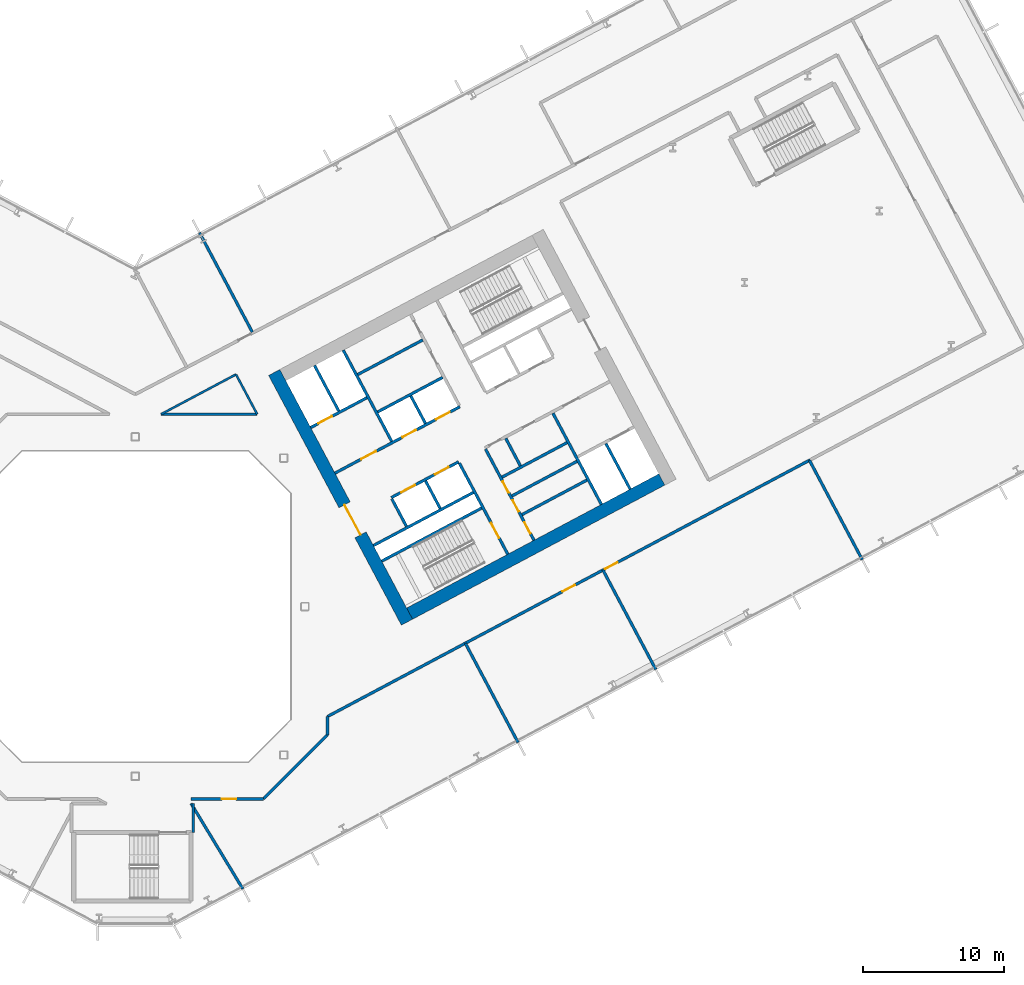
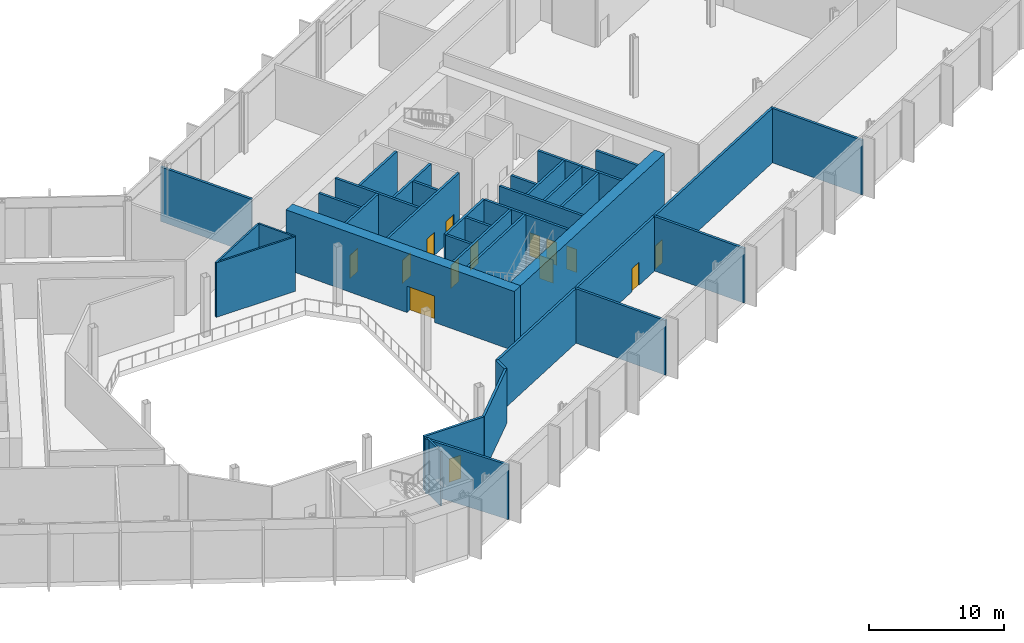
# One storey, part 15 of 32: 35 walls, 14 doors, 14 openings.
"""IFC4 building model written with IfcOpenShell, lengths in metres."""

from ifc_helpers import new_model, si_unit, direction, frame, frame_2d, origin, place, context, subcontext, project, spatial, rectangle, extrude, material, layer, layer_set, type_object, element, fill, save


model = new_model("IFC4")

# Units and contexts
model_context = context("Model", 3, precision=1e-05, world=origin(), true_north=direction((0.0, 1.0)))
body_context = subcontext(model_context, "Body", "Model", "MODEL_VIEW")
ifc_project = project(units=[si_unit("LENGTHUNIT", "METRE"), si_unit("AREAUNIT", "SQUARE_METRE"), si_unit("VOLUMEUNIT", "CUBIC_METRE"), si_unit("PLANEANGLEUNIT", "RADIAN"), si_unit("MASSUNIT", "GRAM", prefix="KILO")], contexts=[model_context])

# Site, building, storey
site_placement = place(None, origin())
site = spatial("IfcSite", under=ifc_project, at=site_placement, CompositionType="ELEMENT")
building_placement = place(site_placement, origin())
building = spatial("IfcBuilding", under=site, at=building_placement, Name="Cormorant Relay Tower", CompositionType="ELEMENT")
storey_placement = place(building_placement, frame((0.0, 0.0, 17.60009765625)))
storey = spatial("IfcBuildingStorey", under=building, at=storey_placement, Name="L03", CompositionType="ELEMENT", Elevation=17.60009765625)

# Walls
ifc_material_1 = material(Name="Concrete 40 MPa", Category="concrete")
ifc_layer_1 = layer(ifc_material_1, 0.199951171875)
ifc_layer_set_1 = layer_set([ifc_layer_1], Name="Core internal wall 200")
wall_type_1 = type_object("IfcWallType", Name="Core internal wall 200", PredefinedType="SOLIDWALL", material=ifc_layer_set_1)
for number, where, z_axis, x_axis, name in (
    (1, (21.567626953125, 6.9375, 0.0), (0.0, 0.0, 1.0), (-0.469533832133, 0.882914480843, 0.0), "L03 core B shaft and room wall"),
    (2, (20.522216796875, 12.950439453125, 0.0), (0.0, 0.0, 1.0), (-0.469401318492, 0.882984938828, 0.0), "L03 core B shaft and room wall"),
    (3, (27.236083984375, 9.951416015625, 0.0), (0.0, 0.0, 1.0), (-0.4694473164, 0.882960484464, 0.0), "L03 core B shaft and room wall"),
):
    element("IfcWall", number, at=place(storey_placement, frame(where, z_axis=z_axis, x_axis=x_axis)), inside=storey, type_object=wall_type_1, Name=name, PredefinedType="SOLIDWALL", context=body_context, shape_type="SweptSolid", body=[
        extrude(rectangle(XDim=2.199951171875, YDim=0.199951171875, at=frame_2d((1.10009765625, 0.0))), origin(), (0.0, 0.0, 1.0), 5.39990234375),
    ])
for number, where, z_axis, x_axis, name in (
    (4, (27.349365234375, 6.500732421875, 0.0), (0.0, 0.0, 1.0), (0.882953967957, 0.469459572775, 0.0), "L03 core B shaft and room wall"),
    (5, (26.645263671875, 7.8251953125, 0.0), (0.0, 0.0, 1.0), (0.882953967957, 0.469459572775, 0.0), "L03 core B shaft and room wall"),
    (6, (15.738525390625, 16.409423828125, 0.0), (0.0, 0.0, 1.0), (0.882934506056, 0.469496174655, 0.0), "L03 core B shaft and room wall"),
):
    element("IfcWall", number, at=place(storey_placement, frame(where, z_axis=z_axis, x_axis=x_axis)), inside=storey, type_object=wall_type_1, Name=name, PredefinedType="SOLIDWALL", context=body_context, shape_type="SweptSolid", body=[
        extrude(rectangle(XDim=5.199951171875, YDim=0.199951171875, at=frame_2d((2.60009765625, 0.0))), origin(), (0.0, 0.0, 1.0), 5.39990234375),
    ])
ifc_material_2 = material(Name="Concrete 50 MPa", Category="concrete")
ifc_layer_2 = layer(ifc_material_2, 0.199951171875)
ifc_layer_set_2 = layer_set([ifc_layer_2], Name="Core shaft wall 200")
wall_type_2 = type_object("IfcWallType", Name="Core shaft wall 200", PredefinedType="SHEAR", material=ifc_layer_set_2)
wall_1_placement = place(storey_placement, frame((14.39404296875, 13.825927734375, 0.0), z_axis=(0.0, 0.0, 1.0), x_axis=(-0.469494272526, 0.882935517501, 0.0)))
element("IfcWall", 7, at=wall_1_placement, inside=storey, type_object=wall_type_2, Name="L03 core B shaft wall", PredefinedType="SHEAR", context=body_context, shape_type="SweptSolid", body=[
    extrude(rectangle(XDim=3.64990234375, YDim=0.199951171875, at=frame_2d((1.824951171875, 0.0))), origin(), (0.0, 0.0, 1.0), 5.39990234375),
])
wall_2_placement = place(storey_placement, frame((19.18359375, 5.669921875, 0.0), z_axis=(0.0, 0.0, 1.0), x_axis=(-0.4694473164, 0.882960484464, 0.0)))
element("IfcWall", 8, at=wall_2_placement, inside=storey, type_object=wall_type_2, Name="L03 core B shaft wall", PredefinedType="SHEAR", context=body_context, shape_type="SweptSolid", body=[
    extrude(rectangle(XDim=2.199951171875, YDim=0.199951171875, at=frame_2d((1.10009765625, 0.0))), origin(), (0.0, 0.0, 1.0), 5.39990234375),
])
wall_3_placement = place(storey_placement, frame((18.138427734375, 11.682861328125, 0.0), z_axis=(0.0, 0.0, 1.0), x_axis=(-0.469480409012, 0.88294288918, 0.0)))
element("IfcWall", 9, at=wall_3_placement, inside=storey, type_object=wall_type_2, Name="L03 core B shaft wall", PredefinedType="SHEAR", context=body_context, shape_type="SweptSolid", body=[
    extrude(rectangle(XDim=7.300048828125, YDim=0.199951171875, at=frame_2d((3.64990234375, 0.0))), origin(), (0.0, 0.0, 1.0), 5.39990234375),
])

# Wall, opening, door
wall_4_placement = place(storey_placement, frame((26.345947265625, 3.701904296875, 0.0), z_axis=(0.0, 0.0, 1.0), x_axis=(-0.469480409012, 0.88294288918, 0.0)))
wall_4 = element("IfcWall", 10, at=wall_4_placement, inside=storey, type_object=wall_type_2, Name="L03 core B shaft wall", PredefinedType="SHEAR", context=body_context, shape_type="SweptSolid", body=[
    extrude(rectangle(XDim=7.300048828125, YDim=0.199951171875, at=frame_2d((3.64990234375, 0.0))), origin(), (0.0, 0.0, 1.0), 5.39990234375),
])
opening_1_placement = place(wall_4_placement, frame((1.300048828125, 0.0, 0.0)))
opening_1 = element("IfcOpeningElement", 11, at=opening_1_placement, cuts=wall_4, Name="Opening CDB-021", PredefinedType="OPENING", context=body_context, shape_type="SweptSolid", body=[
    extrude(rectangle(XDim=1.199951171875, YDim=2.10009765625, at=frame_2d((0.60009765625, 1.050048828125))), frame((0.0, 0.10986328125, 0.0), z_axis=(0.0, -1.0, 0.0), x_axis=(1.0, 0.0, 0.0)), (0.0, 0.0, 1.0), 0.219970703125),
])
ifc_material_3 = material(Name="Steel fire door", Category="steel")
door_type_1 = type_object("IfcDoorType", Name="Core stair door 1200x2100", OperationType="SINGLE_SWING_LEFT", PredefinedType="DOOR", material=ifc_material_3)
door_1_placement = place(opening_1_placement, origin())
door_1 = element("IfcDoor", 12, at=door_1_placement, inside=storey, type_object=door_type_1, Name="Core stair door 1200x2100", OperationType="SINGLE_SWING_RIGHT", OverallHeight=2.10009765625, OverallWidth=1.199951171875, PredefinedType="DOOR", context=body_context, shape_type="SweptSolid", body=[
    extrude(rectangle(XDim=1.199951171875, YDim=2.10009765625, at=frame_2d((0.60009765625, 1.050048828125))), frame((0.0, 0.02490234375, 0.0), z_axis=(0.0, -1.0, 0.0), x_axis=(1.0, 0.0, 0.0)), (0.0, 0.0, 1.0), 0.050048828125),
])
fill(opening_1, door_1)

# Wall, openings, doors
wall_5_placement = place(storey_placement, frame((28.199951171875, 4.687744140625, 0.0), z_axis=(0.0, 0.0, 1.0), x_axis=(-0.469454336211, 0.882956752176, 0.0)))
wall_5 = element("IfcWall", 13, at=wall_5_placement, inside=storey, type_object=wall_type_2, Name="L03 core B shaft wall", PredefinedType="SHEAR", context=body_context, shape_type="SweptSolid", body=[
    extrude(rectangle(XDim=7.300048828125, YDim=0.199951171875, at=frame_2d((3.64990234375, 0.0))), origin(), (0.0, 0.0, 1.0), 5.39990234375),
])
opening_2_placement = place(wall_5_placement, frame((0.550048828125, 0.0, 0.0)))
opening_2 = element("IfcOpeningElement", 14, at=opening_2_placement, cuts=wall_5, Name="Opening CDD-078", PredefinedType="OPENING", context=body_context, shape_type="SweptSolid", body=[
    extrude(rectangle(XDim=0.89990234375, YDim=2.10009765625, at=frame_2d((0.449951171875, 1.050048828125))), frame((0.0, 0.10986328125, 0.0), z_axis=(0.0, -1.0, 0.0), x_axis=(1.0, 0.0, 0.0)), (0.0, 0.0, 1.0), 0.219970703125),
])
opening_3_placement = place(wall_5_placement, frame((2.300048828125, 0.0, 0.0)))
opening_3 = element("IfcOpeningElement", 15, at=opening_3_placement, cuts=wall_5, Name="Opening CDD-079", PredefinedType="OPENING", context=body_context, shape_type="SweptSolid", body=[
    extrude(rectangle(XDim=0.89990234375, YDim=2.10009765625, at=frame_2d((0.449951171875, 1.050048828125))), frame((0.0, 0.10986328125, 0.0), z_axis=(0.0, -1.0, 0.0), x_axis=(1.0, 0.0, 0.0)), (0.0, 0.0, 1.0), 0.219970703125),
])
opening_4_placement = place(wall_5_placement, frame((3.800048828125, 0.0, 0.0)))
opening_4 = element("IfcOpeningElement", 16, at=opening_4_placement, cuts=wall_5, Name="Opening CDD-080", PredefinedType="OPENING", context=body_context, shape_type="SweptSolid", body=[
    extrude(rectangle(XDim=0.89990234375, YDim=2.10009765625, at=frame_2d((0.449951171875, 1.050048828125))), frame((0.0, 0.10986328125, 0.0), z_axis=(0.0, -1.0, 0.0), x_axis=(1.0, 0.0, 0.0)), (0.0, 0.0, 1.0), 0.219970703125),
])
ifc_material_4 = material(Name="Steel fire door", Category="steel")
door_type_2 = type_object("IfcDoorType", Name="Core room door 900x2100", OperationType="SINGLE_SWING_LEFT", PredefinedType="DOOR", material=ifc_material_4)
door_2_placement = place(opening_2_placement, frame((0.89990234375, 0.0, 0.0), z_axis=(0.0, 0.0, 1.0), x_axis=(-1.0, 0.0, 0.0)))
door_2 = element("IfcDoor", 17, at=door_2_placement, inside=storey, type_object=door_type_2, Name="Core room door 900x2100", OperationType="SINGLE_SWING_LEFT", OverallHeight=2.10009765625, OverallWidth=0.89990234375, PredefinedType="DOOR", context=body_context, shape_type="SweptSolid", body=[
    extrude(rectangle(XDim=0.89990234375, YDim=2.10009765625, at=frame_2d((0.449951171875, 1.050048828125))), frame((0.0, 0.02490234375, 0.0), z_axis=(0.0, -1.0, 0.0), x_axis=(1.0, 0.0, 0.0)), (0.0, 0.0, 1.0), 0.050048828125),
])
fill(opening_2, door_2)
door_3_placement = place(opening_3_placement, frame((0.89990234375, 0.0, 0.0), z_axis=(0.0, 0.0, 1.0), x_axis=(-1.0, 0.0, 0.0)))
door_3 = element("IfcDoor", 18, at=door_3_placement, inside=storey, type_object=door_type_2, Name="Core room door 900x2100", OperationType="SINGLE_SWING_LEFT", OverallHeight=2.10009765625, OverallWidth=0.89990234375, PredefinedType="DOOR", context=body_context, shape_type="SweptSolid", body=[
    extrude(rectangle(XDim=0.89990234375, YDim=2.10009765625, at=frame_2d((0.449951171875, 1.050048828125))), frame((0.0, 0.02490234375, 0.0), z_axis=(0.0, -1.0, 0.0), x_axis=(1.0, 0.0, 0.0)), (0.0, 0.0, 1.0), 0.050048828125),
])
fill(opening_3, door_3)
door_4_placement = place(opening_4_placement, frame((0.89990234375, 0.0, 0.0), z_axis=(0.0, 0.0, 1.0), x_axis=(-1.0, 0.0, 0.0)))
door_4 = element("IfcDoor", 19, at=door_4_placement, inside=storey, type_object=door_type_2, Name="Core room door 900x2100", OperationType="SINGLE_SWING_LEFT", OverallHeight=2.10009765625, OverallWidth=0.89990234375, PredefinedType="DOOR", context=body_context, shape_type="SweptSolid", body=[
    extrude(rectangle(XDim=0.89990234375, YDim=2.10009765625, at=frame_2d((0.449951171875, 1.050048828125))), frame((0.0, 0.02490234375, 0.0), z_axis=(0.0, -1.0, 0.0), x_axis=(1.0, 0.0, 0.0)), (0.0, 0.0, 1.0), 0.050048828125),
])
fill(opening_4, door_4)

# Walls
wall_6_placement = place(storey_placement, frame((32.968017578125, 7.222900390625, 0.0), z_axis=(0.0, 0.0, 1.0), x_axis=(-0.469480409012, 0.88294288918, 0.0)))
element("IfcWall", 20, at=wall_6_placement, inside=storey, type_object=wall_type_2, Name="L03 core B shaft wall", PredefinedType="SHEAR", context=body_context, shape_type="SweptSolid", body=[
    extrude(rectangle(XDim=7.300048828125, YDim=0.199951171875, at=frame_2d((3.64990234375, 0.0))), origin(), (0.0, 0.0, 1.0), 5.39990234375),
])
wall_7_placement = place(storey_placement, frame((34.998779296875, 8.302734375, 0.0), z_axis=(0.0, 0.0, 1.0), x_axis=(-0.4694665462, 0.882950260207, 0.0)))
element("IfcWall", 21, at=wall_7_placement, inside=storey, type_object=wall_type_2, Name="L03 core B shaft wall", PredefinedType="SHEAR", context=body_context, shape_type="SweptSolid", body=[
    extrude(rectangle(XDim=3.650146484375, YDim=0.199951171875, at=frame_2d((1.8251953125, 0.0))), origin(), (0.0, 0.0, 1.0), 5.39990234375),
])
for number, where, z_axis, x_axis, name in (
    (22, (17.43359375, 3.210205078125, 0.0), (0.0, 0.0, 1.0), (0.882940221191, 0.469485426614, 0.0), "L03 core B shaft wall"),
    (23, (16.8466796875, 4.31396484375, 0.0), (0.0, 0.0, 1.0), (0.882940221191, 0.469485426614, 0.0), "L03 core B shaft wall"),
):
    element("IfcWall", number, at=place(storey_placement, frame(where, z_axis=z_axis, x_axis=x_axis)), inside=storey, type_object=wall_type_2, Name=name, PredefinedType="SHEAR", context=body_context, shape_type="SweptSolid", body=[
        extrude(rectangle(XDim=8.0, YDim=0.199951171875, at=frame_2d((4.0, 0.0))), origin(), (0.0, 0.0, 1.0), 5.39990234375),
    ])
wall_8_placement = place(storey_placement, frame((25.94091796875, 9.149658203125, 0.0), z_axis=(0.0, 0.0, 1.0), x_axis=(0.882953967957, 0.469459572775, 0.0)))
element("IfcWall", 24, at=wall_8_placement, inside=storey, type_object=wall_type_2, Name="L03 core B shaft wall", PredefinedType="SHEAR", context=body_context, shape_type="SweptSolid", body=[
    extrude(rectangle(XDim=5.199951171875, YDim=0.199951171875, at=frame_2d((2.60009765625, 0.0))), origin(), (0.0, 0.0, 1.0), 5.39990234375),
])

# Wall, openings, doors
wall_9_placement = place(storey_placement, frame((18.103759765625, 7.70068359375, 0.0), z_axis=(0.0, 0.0, 1.0), x_axis=(0.882952937579, 0.469461510692, 0.0)))
wall_9 = element("IfcWall", 25, at=wall_9_placement, inside=storey, type_object=wall_type_2, Name="L03 core B shaft wall", PredefinedType="SHEAR", context=body_context, shape_type="SweptSolid", body=[
    extrude(rectangle(XDim=5.400146484375, YDim=0.199951171875, at=frame_2d((2.7001953125, 0.0))), origin(), (0.0, 0.0, 1.0), 5.39990234375),
])
opening_5_placement = place(wall_9_placement, frame((0.800048828125, 0.0, 0.0)))
opening_5 = element("IfcOpeningElement", 26, at=opening_5_placement, cuts=wall_9, Name="Opening LD1-024", PredefinedType="OPENING", context=body_context, shape_type="SweptSolid", body=[
    extrude(rectangle(XDim=1.10009765625, YDim=2.10009765625, at=frame_2d((0.550048828125, 1.050048828125))), frame((0.0, 0.10986328125, 0.0), z_axis=(0.0, -1.0, 0.0), x_axis=(1.0, 0.0, 0.0)), (0.0, 0.0, 1.0), 0.219970703125),
])
opening_6_placement = place(wall_9_placement, frame((3.5, 0.0, 0.0)))
opening_6 = element("IfcOpeningElement", 27, at=opening_6_placement, cuts=wall_9, Name="Opening LD1-025", PredefinedType="OPENING", context=body_context, shape_type="SweptSolid", body=[
    extrude(rectangle(XDim=1.10009765625, YDim=2.10009765625, at=frame_2d((0.550048828125, 1.050048828125))), frame((0.0, 0.10986328125, 0.0), z_axis=(0.0, -1.0, 0.0), x_axis=(1.0, 0.0, 0.0)), (0.0, 0.0, 1.0), 0.219970703125),
])
ifc_material_5 = material(Name="Stainless steel 316", Category="steel")
door_type_3 = type_object("IfcDoorType", Name="Lift landing door 1100x2100", OperationType="DOUBLE_DOOR_SLIDING", PredefinedType="DOOR", material=ifc_material_5)
door_5_placement = place(opening_5_placement, origin())
door_5 = element("IfcDoor", 28, at=door_5_placement, inside=storey, type_object=door_type_3, Name="LR5 landing door", OperationType="DOUBLE_DOOR_SLIDING", OverallHeight=2.10009765625, OverallWidth=1.10009765625, PredefinedType="DOOR", context=body_context, shape_type="SweptSolid", body=[
    extrude(rectangle(XDim=1.10009765625, YDim=2.10009765625, at=frame_2d((0.550048828125, 1.050048828125))), frame((0.0, 0.02490234375, 0.0), z_axis=(0.0, -1.0, 0.0), x_axis=(1.0, 0.0, 0.0)), (0.0, 0.0, 1.0), 0.050048828125),
])
fill(opening_5, door_5)
door_6_placement = place(opening_6_placement, origin())
door_6 = element("IfcDoor", 29, at=door_6_placement, inside=storey, type_object=door_type_3, Name="LR6 landing door", OperationType="DOUBLE_DOOR_SLIDING", OverallHeight=2.10009765625, OverallWidth=1.10009765625, PredefinedType="DOOR", context=body_context, shape_type="SweptSolid", body=[
    extrude(rectangle(XDim=1.10009765625, YDim=2.10009765625, at=frame_2d((0.550048828125, 1.050048828125))), frame((0.0, 0.02490234375, 0.0), z_axis=(0.0, -1.0, 0.0), x_axis=(1.0, 0.0, 0.0)), (0.0, 0.0, 1.0), 0.050048828125),
])
fill(opening_6, door_6)

wall_10_placement = place(storey_placement, frame((14.123779296875, 9.43505859375, 0.0), z_axis=(0.0, 0.0, 1.0), x_axis=(0.882940221191, 0.469485426614, 0.0)))
wall_10 = element("IfcWall", 30, at=wall_10_placement, inside=storey, type_object=wall_type_2, Name="L03 core B shaft wall", PredefinedType="SHEAR", context=body_context, shape_type="SweptSolid", body=[
    extrude(rectangle(XDim=10.0, YDim=0.199951171875, at=frame_2d((5.0, 0.0))), origin(), (0.0, 0.0, 1.0), 5.39990234375),
])
opening_7_placement = place(wall_10_placement, frame((2.10009765625, 0.0, 0.0)))
opening_7 = element("IfcOpeningElement", 31, at=opening_7_placement, cuts=wall_10, Name="Opening CDC-015", PredefinedType="OPENING", context=body_context, shape_type="SweptSolid", body=[
    extrude(rectangle(XDim=1.199951171875, YDim=2.10009765625, at=frame_2d((0.60009765625, 1.050048828125))), frame((0.0, 0.10986328125, 0.0), z_axis=(0.0, -1.0, 0.0), x_axis=(1.0, 0.0, 0.0)), (0.0, 0.0, 1.0), 0.219970703125),
])
opening_8_placement = place(wall_10_placement, frame((5.39990234375, 0.0, 0.0)))
opening_8 = element("IfcOpeningElement", 32, at=opening_8_placement, cuts=wall_10, Name="Opening LD1-020", PredefinedType="OPENING", context=body_context, shape_type="SweptSolid", body=[
    extrude(rectangle(XDim=1.10009765625, YDim=2.10009765625, at=frame_2d((0.550048828125, 1.050048828125))), frame((0.0, 0.10986328125, 0.0), z_axis=(0.0, -1.0, 0.0), x_axis=(1.0, 0.0, 0.0)), (0.0, 0.0, 1.0), 0.219970703125),
])
opening_9_placement = place(wall_10_placement, frame((8.10009765625, 0.0, 0.0)))
opening_9 = element("IfcOpeningElement", 33, at=opening_9_placement, cuts=wall_10, Name="Opening LD1-021", PredefinedType="OPENING", context=body_context, shape_type="SweptSolid", body=[
    extrude(rectangle(XDim=1.10009765625, YDim=2.10009765625, at=frame_2d((0.550048828125, 1.050048828125))), frame((0.0, 0.10986328125, 0.0), z_axis=(0.0, -1.0, 0.0), x_axis=(1.0, 0.0, 0.0)), (0.0, 0.0, 1.0), 0.219970703125),
])
ifc_material_6 = material(Name="Steel fire door", Category="steel")
door_type_4 = type_object("IfcDoorType", Name="Core lobby door 1200x2100", OperationType="SINGLE_SWING_LEFT", PredefinedType="DOOR", material=ifc_material_6)
door_7_placement = place(opening_7_placement, origin())
door_7 = element("IfcDoor", 34, at=door_7_placement, inside=storey, type_object=door_type_4, Name="Core lobby door 1200x2100", OperationType="SINGLE_SWING_RIGHT", OverallHeight=2.10009765625, OverallWidth=1.199951171875, PredefinedType="DOOR", context=body_context, shape_type="SweptSolid", body=[
    extrude(rectangle(XDim=1.199951171875, YDim=2.10009765625, at=frame_2d((0.60009765625, 1.050048828125))), frame((0.0, 0.02490234375, 0.0), z_axis=(0.0, -1.0, 0.0), x_axis=(1.0, 0.0, 0.0)), (0.0, 0.0, 1.0), 0.050048828125),
])
fill(opening_7, door_7)
door_8_placement = place(opening_8_placement, origin())
door_8 = element("IfcDoor", 35, at=door_8_placement, inside=storey, type_object=door_type_3, Name="LR1 landing door", OperationType="DOUBLE_DOOR_SLIDING", OverallHeight=2.10009765625, OverallWidth=1.10009765625, PredefinedType="DOOR", context=body_context, shape_type="SweptSolid", body=[
    extrude(rectangle(XDim=1.10009765625, YDim=2.10009765625, at=frame_2d((0.550048828125, 1.050048828125))), frame((0.0, 0.02490234375, 0.0), z_axis=(0.0, -1.0, 0.0), x_axis=(1.0, 0.0, 0.0)), (0.0, 0.0, 1.0), 0.050048828125),
])
fill(opening_8, door_8)
door_9_placement = place(opening_9_placement, origin())
door_9 = element("IfcDoor", 36, at=door_9_placement, inside=storey, type_object=door_type_3, Name="LR2 landing door", OperationType="DOUBLE_DOOR_SLIDING", OverallHeight=2.10009765625, OverallWidth=1.10009765625, PredefinedType="DOOR", context=body_context, shape_type="SweptSolid", body=[
    extrude(rectangle(XDim=1.10009765625, YDim=2.10009765625, at=frame_2d((0.550048828125, 1.050048828125))), frame((0.0, 0.02490234375, 0.0), z_axis=(0.0, -1.0, 0.0), x_axis=(1.0, 0.0, 0.0)), (0.0, 0.0, 1.0), 0.050048828125),
])
fill(opening_9, door_9)

# Wall
wall_11_placement = place(storey_placement, frame((17.146728515625, 13.7607421875, 0.0), z_axis=(0.0, 0.0, 1.0), x_axis=(0.882964314875, 0.469440111896, 0.0)))
element("IfcWall", 37, at=wall_11_placement, inside=storey, type_object=wall_type_2, Name="L03 core B shaft wall", PredefinedType="SHEAR", context=body_context, shape_type="SweptSolid", body=[
    extrude(rectangle(XDim=5.2001953125, YDim=0.199951171875, at=frame_2d((2.60009765625, 0.0))), origin(), (0.0, 0.0, 1.0), 5.39990234375),
])

# Wall, opening, door
wall_12_placement = place(storey_placement, frame((12.41015625, 12.657958984375, 0.0), z_axis=(0.0, 0.0, 1.0), x_axis=(0.8829484765, 0.469469900894, 0.0)))
wall_12 = element("IfcWall", 38, at=wall_12_placement, inside=storey, type_object=wall_type_2, Name="L03 core B shaft wall", PredefinedType="SHEAR", context=body_context, shape_type="SweptSolid", body=[
    extrude(rectangle(XDim=4.499755859375, YDim=0.199951171875, at=frame_2d((2.25, 0.0))), origin(), (0.0, 0.0, 1.0), 5.39990234375),
])
opening_10_placement = place(wall_12_placement, frame((0.60009765625, 0.0, 0.0)))
opening_10 = element("IfcOpeningElement", 39, at=opening_10_placement, cuts=wall_12, Name="Opening LD1-026", PredefinedType="OPENING", context=body_context, shape_type="SweptSolid", body=[
    extrude(rectangle(XDim=1.10009765625, YDim=2.10009765625, at=frame_2d((0.550048828125, 1.050048828125))), frame((0.0, 0.10986328125, 0.0), z_axis=(0.0, -1.0, 0.0), x_axis=(1.0, 0.0, 0.0)), (0.0, 0.0, 1.0), 0.219970703125),
])
door_10_placement = place(opening_10_placement, origin())
door_10 = element("IfcDoor", 40, at=door_10_placement, inside=storey, type_object=door_type_3, Name="FF2 landing door", OperationType="DOUBLE_DOOR_SLIDING", OverallHeight=2.10009765625, OverallWidth=1.10009765625, PredefinedType="DOOR", context=body_context, shape_type="SweptSolid", body=[
    extrude(rectangle(XDim=1.10009765625, YDim=2.10009765625, at=frame_2d((0.550048828125, 1.050048828125))), frame((0.0, 0.02490234375, 0.0), z_axis=(0.0, -1.0, 0.0), x_axis=(1.0, 0.0, 0.0)), (0.0, 0.0, 1.0), 0.050048828125),
])
fill(opening_10, door_10)

ifc_material_7 = material(Name="Concrete 70 MPa", Category="concrete")
ifc_layer_3 = layer(ifc_material_7, 0.89990234375)
ifc_layer_set_3 = layer_set([ifc_layer_3], Name="Core wall 900")
wall_type_3 = type_object("IfcWallType", Name="Core wall 900", PredefinedType="SHEAR", material=ifc_layer_set_3)
wall_13_placement = place(storey_placement, frame((19.21923828125, -1.106689453125, 0.0), z_axis=(0.0, 0.0, 1.0), x_axis=(-0.46947084998, 0.882947971864, 0.0)))
wall_13 = element("IfcWall", 41, at=wall_13_placement, inside=storey, type_object=wall_type_3, Name="L03 core B wall", PredefinedType="SHEAR", context=body_context, shape_type="SweptSolid", body=[
    extrude(rectangle(XDim=20.0, YDim=0.89990234375, at=frame_2d((10.0, 0.0))), origin(), (0.0, 0.0, 1.0), 5.39990234375),
])
opening_11_placement = place(wall_13_placement, frame((7.0, 0.0, 0.0)))
opening_11 = element("IfcOpeningElement", 42, at=opening_11_placement, cuts=wall_13, Name="Opening CDA-015", PredefinedType="OPENING", context=body_context, shape_type="SweptSolid", body=[
    extrude(rectangle(XDim=2.39990234375, YDim=2.39990234375, at=frame_2d((1.199951171875, 1.199951171875))), frame((0.0, 0.4599609375, 0.0), z_axis=(0.0, -1.0, 0.0), x_axis=(1.0, 0.0, 0.0)), (0.0, 0.0, 1.0), 0.919921875),
])
ifc_material_8 = material(Name="Steel fire door", Category="steel")
door_type_5 = type_object("IfcDoorType", Name="Core lobby door 2400x2400", OperationType="DOUBLE_DOOR_SINGLE_SWING", PredefinedType="DOOR", material=ifc_material_8)
door_11_placement = place(opening_11_placement, frame((2.39990234375, 0.0, 0.0), z_axis=(0.0, 0.0, 1.0), x_axis=(-1.0, 0.0, 0.0)))
door_11 = element("IfcDoor", 43, at=door_11_placement, inside=storey, type_object=door_type_5, Name="Core lobby door 2400x2400", OperationType="DOUBLE_DOOR_SINGLE_SWING", OverallHeight=2.39990234375, OverallWidth=2.39990234375, PredefinedType="DOOR", context=body_context, shape_type="SweptSolid", body=[
    extrude(rectangle(XDim=2.39990234375, YDim=2.39990234375, at=frame_2d((1.199951171875, 1.199951171875))), frame((0.0, 0.02490234375, 0.0), z_axis=(0.0, -1.0, 0.0), x_axis=(1.0, 0.0, 0.0)), (0.0, 0.0, 1.0), 0.050048828125),
])
fill(opening_11, door_11)

# Walls
wall_14_placement = place(storey_placement, frame((19.4052734375, -0.498046875, 0.0), z_axis=(0.0, 0.0, 1.0), x_axis=(0.88294509198, 0.469476266226, 0.0)))
element("IfcWall", 44, at=wall_14_placement, inside=storey, type_object=wall_type_3, Name="L03 core B wall", PredefinedType="SHEAR", context=body_context, shape_type="SweptSolid", body=[
    extrude(rectangle(XDim=20.199951171875, YDim=0.89990234375, at=frame_2d((10.10009765625, 0.0))), origin(), (0.0, 0.0, 1.0), 5.39990234375),
])
ifc_material_9 = material(Name="Fire-rated gypsum board partition")
ifc_layer_4 = layer(ifc_material_9, 0.199951171875)
ifc_layer_set_4 = layer_set([ifc_layer_4], Name="Fire-rated gypsum partition 200")
wall_type_4 = type_object("IfcWallType", Name="Fire-rated gypsum partition 200", PredefinedType="PARTITIONING", material=ifc_layer_set_4)
wall_15_placement = place(storey_placement, frame((4.549072265625, 26.428955078125, 0.0), z_axis=(0.0, 0.0, 1.0), x_axis=(0.469456091969, -0.882955818664, 0.0)))
element("IfcWall", 45, at=wall_15_placement, inside=storey, type_object=wall_type_4, Name="wall/L03/part/44", PredefinedType="PARTITIONING", context=body_context, shape_type="SweptSolid", body=[
    extrude(rectangle(XDim=7.949462890625, YDim=0.199951171875, at=frame_2d((3.974609375, 0.0))), origin(), (0.0, 0.0, 1.0), 4.949951171875),
])
wall_16_placement = place(storey_placement, frame((13.60009765625, -7.781982421875, 0.0), z_axis=(0.0, 0.0, 1.0), x_axis=(0.0, -1.0, 0.0)))
element("IfcWall", 46, at=wall_16_placement, inside=storey, type_object=wall_type_4, Name="wall/L03/part/46", PredefinedType="PARTITIONING", context=body_context, shape_type="SweptSolid", body=[
    extrude(rectangle(XDim=1.294921875, YDim=0.199951171875, at=frame_2d((0.6474609375, 0.0))), origin(), (0.0, 0.0, 1.0), 4.949951171875),
])
wall_17_placement = place(storey_placement, frame((13.60009765625, -9.076904296875, 0.0), z_axis=(0.0, 0.0, 1.0), x_axis=(-0.707106781187, -0.707106781187, 0.0)))
element("IfcWall", 47, at=wall_17_placement, inside=storey, type_object=wall_type_4, Name="wall/L03/part/47", PredefinedType="PARTITIONING", context=body_context, shape_type="SweptSolid", body=[
    extrude(rectangle(XDim=6.396728515625, YDim=0.199951171875, at=frame_2d((3.1982421875, 0.0))), origin(), (0.0, 0.0, 1.0), 4.949951171875),
])

# Wall, opening, door
wall_18_placement = place(storey_placement, frame((9.076904296875, -13.60009765625, 0.0), z_axis=(0.0, 0.0, 1.0), x_axis=(-1.0, 0.0, 0.0)))
wall_18 = element("IfcWall", 48, at=wall_18_placement, inside=storey, type_object=wall_type_4, Name="wall/L03/part/48", PredefinedType="PARTITIONING", context=body_context, shape_type="SweptSolid", body=[
    extrude(rectangle(XDim=5.126953125, YDim=0.199951171875, at=frame_2d((2.5634765625, 0.0))), origin(), (0.0, 0.0, 1.0), 4.949951171875),
])
opening_12_placement = place(wall_18_placement, frame((1.949951171875, 0.0, 0.0)))
opening_12 = element("IfcOpeningElement", 49, at=opening_12_placement, cuts=wall_18, Name="Opening FD1-022", PredefinedType="OPENING", context=body_context, shape_type="SweptSolid", body=[
    extrude(rectangle(XDim=1.0, YDim=2.10009765625, at=frame_2d((0.5, 1.050048828125))), frame((0.0, 0.10986328125, 0.0), z_axis=(0.0, -1.0, 0.0), x_axis=(1.0, 0.0, 0.0)), (0.0, 0.0, 1.0), 0.219970703125),
])
ifc_material_10 = material(Name="Fire-rated steel door", Category="steel")
door_type_6 = type_object("IfcDoorType", Name="Fire door 1000 x 2100", OperationType="SINGLE_SWING_LEFT", PredefinedType="DOOR", material=ifc_material_10)
door_12_placement = place(opening_12_placement, origin())
door_12 = element("IfcDoor", 50, at=door_12_placement, inside=storey, type_object=door_type_6, Name="door/L03/3", OperationType="SINGLE_SWING_RIGHT", OverallHeight=2.10009765625, OverallWidth=1.0, PredefinedType="DOOR", context=body_context, shape_type="SweptSolid", body=[
    extrude(rectangle(XDim=1.0, YDim=2.10009765625, at=frame_2d((0.5, 1.050048828125))), frame((0.0, 0.02490234375, 0.0), z_axis=(0.0, -1.0, 0.0), x_axis=(1.0, 0.0, 0.0)), (0.0, 0.0, 1.0), 0.050048828125),
])
fill(opening_12, door_12)

# Walls
wall_19_placement = place(storey_placement, frame((7.60888671875, -19.965087890625, 0.0), z_axis=(0.0, 0.0, 1.0), x_axis=(-0.518126246201, 0.855304152333, 0.0)))
element("IfcWall", 51, at=wall_19_placement, inside=storey, type_object=wall_type_4, Name="wall/L03/part/49", PredefinedType="PARTITIONING", context=body_context, shape_type="SweptSolid", body=[
    extrude(rectangle(XDim=7.061767578125, YDim=0.199951171875, at=frame_2d((3.53076171875, 0.0))), origin(), (0.0, 0.0, 1.0), 4.949951171875),
])
wall_20_placement = place(storey_placement, frame((23.343994140625, -2.594970703125, 0.0), z_axis=(0.0, 0.0, 1.0), x_axis=(0.469456091969, -0.882955818664, 0.0)))
element("IfcWall", 52, at=wall_20_placement, inside=storey, type_object=wall_type_4, Name="wall/L03/part/51", PredefinedType="PARTITIONING", context=body_context, shape_type="SweptSolid", body=[
    extrude(rectangle(XDim=7.949462890625, YDim=0.199951171875, at=frame_2d((3.974609375, 0.0))), origin(), (0.0, 0.0, 1.0), 4.949951171875),
])

# Wall, openings, doors
wall_21_placement = place(storey_placement, frame((47.736083984375, 10.375, 0.0), z_axis=(0.0, 0.0, 1.0), x_axis=(-0.882953206174, -0.469461005524, 0.0)))
wall_21 = element("IfcWall", 53, at=wall_21_placement, inside=storey, type_object=wall_type_4, Name="wall/L03/part/52", PredefinedType="PARTITIONING", context=body_context, shape_type="SweptSolid", body=[
    extrude(rectangle(XDim=38.6611328125, YDim=0.199951171875, at=frame_2d((19.33056640625, 0.0))), origin(), (0.0, 0.0, 1.0), 4.949951171875),
])
opening_13_placement = place(wall_21_placement, frame((18.85009765625, 0.0, 0.0)))
opening_13 = element("IfcOpeningElement", 54, at=opening_13_placement, cuts=wall_21, Name="Opening FD1-023", PredefinedType="OPENING", context=body_context, shape_type="SweptSolid", body=[
    extrude(rectangle(XDim=1.0, YDim=2.10009765625, at=frame_2d((0.5, 1.050048828125))), frame((0.0, 0.10986328125, 0.0), z_axis=(0.0, -1.0, 0.0), x_axis=(1.0, 0.0, 0.0)), (0.0, 0.0, 1.0), 0.219970703125),
])
opening_14_placement = place(wall_21_placement, frame((15.449951171875, 0.0, 0.0)))
opening_14 = element("IfcOpeningElement", 55, at=opening_14_placement, cuts=wall_21, Name="Opening FD1-024", PredefinedType="OPENING", context=body_context, shape_type="SweptSolid", body=[
    extrude(rectangle(XDim=1.0, YDim=2.10009765625, at=frame_2d((0.5, 1.050048828125))), frame((0.0, 0.10986328125, 0.0), z_axis=(0.0, -1.0, 0.0), x_axis=(1.0, 0.0, 0.0)), (0.0, 0.0, 1.0), 0.219970703125),
])
door_13_placement = place(opening_13_placement, origin())
door_13 = element("IfcDoor", 56, at=door_13_placement, inside=storey, type_object=door_type_6, Name="door/L03/4", OperationType="SINGLE_SWING_RIGHT", OverallHeight=2.10009765625, OverallWidth=1.0, PredefinedType="DOOR", context=body_context, shape_type="SweptSolid", body=[
    extrude(rectangle(XDim=1.0, YDim=2.10009765625, at=frame_2d((0.5, 1.050048828125))), frame((0.0, 0.02490234375, 0.0), z_axis=(0.0, -1.0, 0.0), x_axis=(1.0, 0.0, 0.0)), (0.0, 0.0, 1.0), 0.050048828125),
])
fill(opening_13, door_13)
door_14_placement = place(opening_14_placement, origin())
door_14 = element("IfcDoor", 57, at=door_14_placement, inside=storey, type_object=door_type_6, Name="door/L03/5", OperationType="SINGLE_SWING_RIGHT", OverallHeight=2.10009765625, OverallWidth=1.0, PredefinedType="DOOR", context=body_context, shape_type="SweptSolid", body=[
    extrude(rectangle(XDim=1.0, YDim=2.10009765625, at=frame_2d((0.5, 1.050048828125))), frame((0.0, 0.02490234375, 0.0), z_axis=(0.0, -1.0, 0.0), x_axis=(1.0, 0.0, 0.0)), (0.0, 0.0, 1.0), 0.050048828125),
])
fill(opening_14, door_14)

# Walls
wall_22_placement = place(storey_placement, frame((36.80908203125, -4.43896484375, 0.0), z_axis=(0.0, 0.0, 1.0), x_axis=(-0.46942911731, 0.88297016021, 0.0)))
element("IfcWall", 58, at=wall_22_placement, inside=storey, type_object=wall_type_4, Name="wall/L03/part/55", PredefinedType="PARTITIONING", context=body_context, shape_type="SweptSolid", body=[
    extrude(rectangle(XDim=7.950439453125, YDim=0.199951171875, at=frame_2d((3.97509765625, 0.0))), origin(), (0.0, 0.0, 1.0), 4.949951171875),
])
wall_23_placement = place(storey_placement, frame((47.677001953125, 10.343994140625, 0.0), z_axis=(0.0, 0.0, 1.0), x_axis=(0.46930940005, -0.883033797215, 0.0)))
element("IfcWall", 59, at=wall_23_placement, inside=storey, type_object=wall_type_4, Name="wall/L03/part/56", PredefinedType="PARTITIONING", context=body_context, shape_type="SweptSolid", body=[
    extrude(rectangle(XDim=7.949951171875, YDim=0.199951171875, at=frame_2d((3.97509765625, 0.0))), origin(), (0.0, 0.0, 1.0), 4.949951171875),
])
ifc_material_11 = material(Name="Gypsum board partition")
ifc_layer_5 = layer(ifc_material_11, 0.14990234375)
ifc_layer_set_5 = layer_set([ifc_layer_5], Name="Gypsum board partition 150")
wall_type_5 = type_object("IfcWallType", Name="Gypsum board partition 150", PredefinedType="PARTITIONING", material=ifc_layer_set_5)
wall_24_placement = place(storey_placement, frame((4.10009765625, -13.925048828125, 0.0), z_axis=(0.0, 0.0, 1.0), x_axis=(0.0, -1.0, 0.0)))
element("IfcWall", 60, at=wall_24_placement, inside=storey, type_object=wall_type_5, Name="wall/L03/part/45", PredefinedType="PARTITIONING", context=body_context, shape_type="SweptSolid", body=[
    extrude(rectangle(XDim=2.050048828125, YDim=0.14990234375, at=frame_2d((1.02490234375, 0.0))), origin(), (0.0, 0.0, 1.0), 4.949951171875),
])
wall_25_placement = place(storey_placement, frame((1.827880859375, 13.60009765625, 0.0), z_axis=(0.0, 0.0, 1.0), x_axis=(1.0, 0.0, 0.0)))
element("IfcWall", 61, at=wall_25_placement, inside=storey, type_object=wall_type_5, Name="wall/L03/part/81", PredefinedType="PARTITIONING", context=body_context, shape_type="SweptSolid", body=[
    extrude(rectangle(XDim=6.797119140625, YDim=0.14990234375, at=frame_2d((3.3984375, 0.0))), origin(), (0.0, 0.0, 1.0), 4.949951171875),
])
wall_26_placement = place(storey_placement, frame((8.625, 13.60009765625, 0.0), z_axis=(0.0, 0.0, 1.0), x_axis=(-0.46953936544, 0.882911538209, 0.0)))
element("IfcWall", 62, at=wall_26_placement, inside=storey, type_object=wall_type_5, Name="wall/L03/part/82", PredefinedType="PARTITIONING", context=body_context, shape_type="SweptSolid", body=[
    extrude(rectangle(XDim=3.1904296875, YDim=0.14990234375, at=frame_2d((1.59521484375, 0.0))), origin(), (0.0, 0.0, 1.0), 4.949951171875),
])
wall_27_placement = place(storey_placement, frame((7.126953125, 16.4169921875, 0.0), z_axis=(0.0, 0.0, 1.0), x_axis=(-0.882994016778, -0.469384241676, 0.0)))
element("IfcWall", 63, at=wall_27_placement, inside=storey, type_object=wall_type_5, Name="wall/L03/part/83", PredefinedType="PARTITIONING", context=body_context, shape_type="SweptSolid", body=[
    extrude(rectangle(XDim=6.001220703125, YDim=0.14990234375, at=frame_2d((3.00048828125, 0.0))), origin(), (0.0, 0.0, 1.0), 4.949951171875),
])

save(model, "model.ifc")
